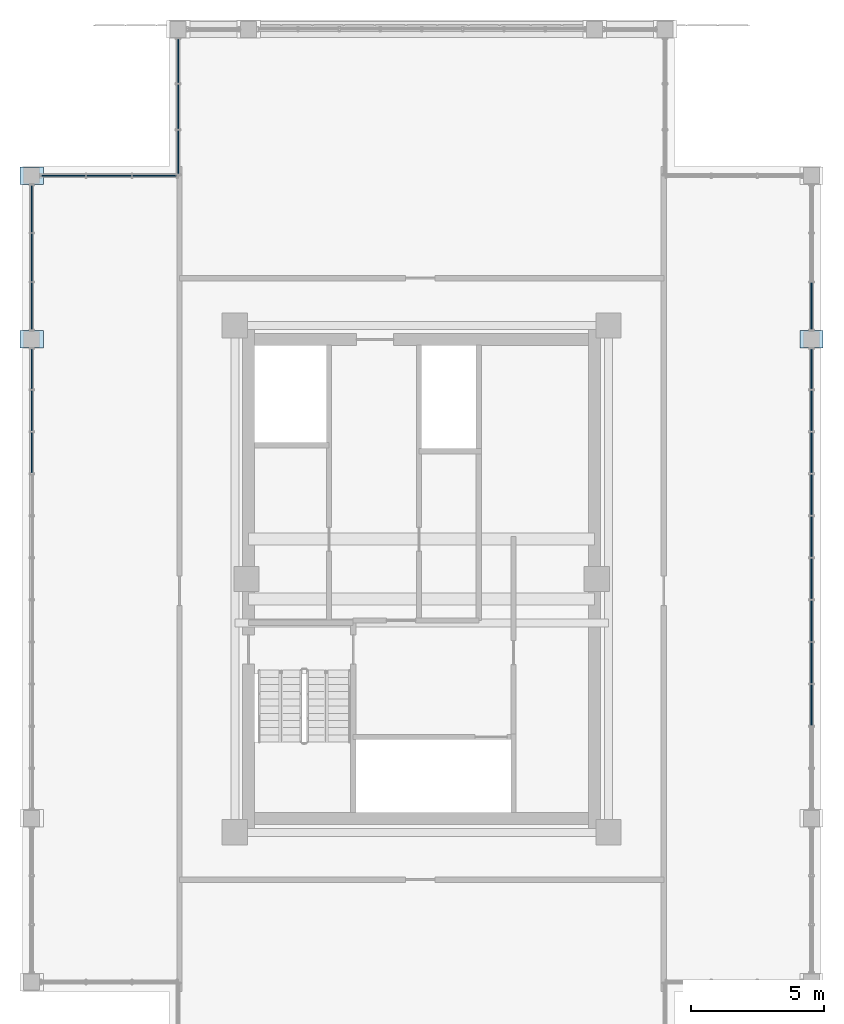
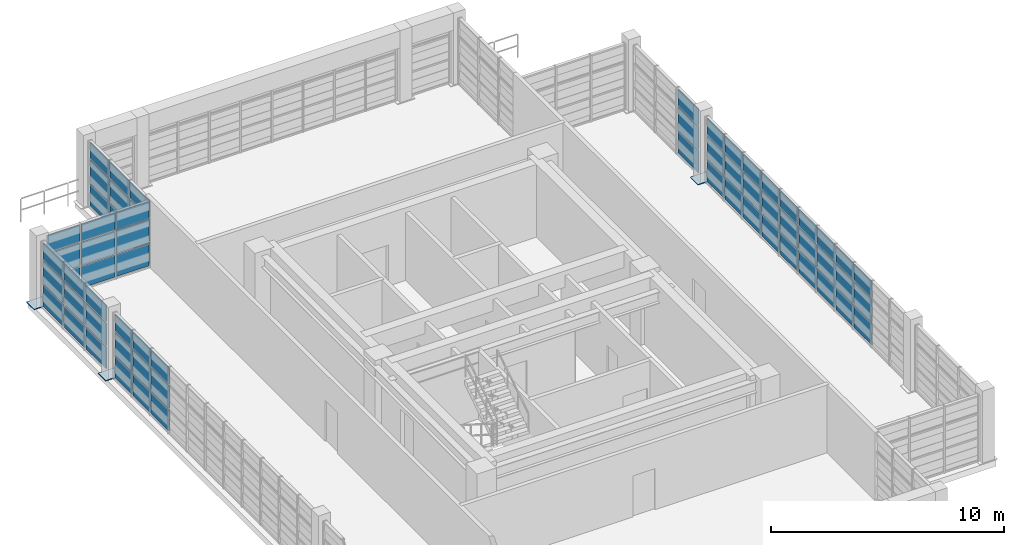
# One storey, part 18 of 24: 69 plates, 6 elements without a shape of their own.
"""IFC4 building model written with IfcOpenShell, lengths in metres."""

import ifcopenshell
import ifcopenshell.guid

model = None  # the IFC model being written
_history = None  # IfcOwnerHistory: only IFC2X3 demands one
_inside = {}  # id of a spatial element -> (the spatial element, [elements in it])
_under = {}  # id of a project, library or spatial element -> (it, [spatial elements below it])
_declared = {}  # id of a project -> (the project, [libraries it declares])
_typed = {}  # id of a type object -> (the type object, [elements of that type])
_made_of = {}  # id of a material, layer set ... -> (it, [elements and type objects made of it])


def new_model(schema):
    """Start an empty IFC model of exactly this schema.

    Asked for "IFC4X3", IfcOpenShell would pick the latest addendum, in which some entities
    have other attributes; the version numbers below select the first issue.
    IFC2X3 requires an IfcOwnerHistory on every rooted entity: one is made here for all.
    """
    global model, _history
    if schema == "IFC4X3":
        model = ifcopenshell.file(schema_version=(4, 3, 0, 0))
    else:
        model = ifcopenshell.file(schema=schema)
    _inside.clear()
    _under.clear()
    _declared.clear()
    _typed.clear()
    _made_of.clear()
    _history = None
    if model.schema == "IFC2X3":
        org = make("IfcOrganization", Name="unknown")
        user = make(
            "IfcPersonAndOrganization",
            ThePerson=make("IfcPerson", FamilyName="unknown"),
            TheOrganization=org,
        )
        app = make(
            "IfcApplication",
            ApplicationDeveloper=org,
            Version="unknown",
            ApplicationFullName="unknown",
            ApplicationIdentifier="unknown",
        )
        _history = make(
            "IfcOwnerHistory",
            OwningUser=user,
            OwningApplication=app,
            ChangeAction="ADDED",
            CreationDate=0,
        )
    return model


def make(cls, **values):
    """One entity of the class cls with the attributes given. An attribute that is None is left unset."""
    return model.create_entity(
        cls, **{name: value for name, value in values.items() if value is not None}
    )


def rooted(cls, **values):
    """An entity with a GlobalId (a new one), such as an element, a storey or a relation."""
    return make(cls, GlobalId=ifcopenshell.guid.new(), OwnerHistory=_history, **values)


def si_unit(unit_type, name, prefix=None):
    """IfcSIUnit, for example si_unit("LENGTHUNIT", "METRE", prefix="MILLI")."""
    return make("IfcSIUnit", UnitType=unit_type, Prefix=prefix, Name=name)


def assignment(units):
    """IfcUnitAssignment: the units of a project."""
    return None if units is None else make("IfcUnitAssignment", Units=units)


def point(xyz):
    """IfcCartesianPoint."""
    return None if xyz is None else make("IfcCartesianPoint", Coordinates=xyz)


def direction(xyz):
    """IfcDirection."""
    return None if xyz is None else make("IfcDirection", DirectionRatios=xyz)


def frame(location, z_axis=None, x_axis=None):
    """IfcAxis2Placement3D, a coordinate frame: its origin and axes. An axis left out is left unset."""
    return make(
        "IfcAxis2Placement3D",
        Location=point(location),
        Axis=direction(z_axis),
        RefDirection=direction(x_axis),
    )


def frame_2d(location, x_axis=None):
    """IfcAxis2Placement2D, a coordinate frame in the plane: its origin and x axis."""
    return make(
        "IfcAxis2Placement2D", Location=point(location), RefDirection=direction(x_axis)
    )


def origin():
    """The frame at (0, 0, 0) with its axes left unset."""
    return frame((0.0, 0.0, 0.0))


def origin_2d():
    """The frame at (0, 0) in the plane with its x axis left unset."""
    return frame_2d((0.0, 0.0))


def place(relative_to, where):
    """IfcLocalPlacement: puts the frame where relative to a parent placement (None: the world)."""
    return make(
        "IfcLocalPlacement", PlacementRelTo=relative_to, RelativePlacement=where
    )


def context(
    kind, dimensions, precision=None, world=None, true_north=None, identifier=None
):
    """IfcGeometricRepresentationContext, for example the 3D "Model" context."""
    return make(
        "IfcGeometricRepresentationContext",
        ContextIdentifier=identifier,
        ContextType=kind,
        CoordinateSpaceDimension=dimensions,
        Precision=precision,
        WorldCoordinateSystem=world,
        TrueNorth=true_north,
    )


def subcontext(parent, identifier, kind, view, scale=None):
    """IfcGeometricRepresentationSubContext, for example "Body" below "Model"."""
    return make(
        "IfcGeometricRepresentationSubContext",
        ContextIdentifier=identifier,
        ContextType=kind,
        ParentContext=parent,
        TargetScale=scale,
        TargetView=view,
    )


def project(units=None, contexts=None):
    """IfcProject with its units and contexts."""
    return rooted(
        "IfcProject",
        Name="project",
        RepresentationContexts=contexts,
        UnitsInContext=assignment(units),
    )


def spatial(cls, under=None, at=None, **own):
    """A site, building, storey or space (cls), placed at a placement, below another one or the project."""
    s = rooted(cls, ObjectPlacement=at, **own)
    if under is not None:
        _under.setdefault(under.id(), (under, []))[1].append(s)
    return s


def profile(cls, at=None, kind="AREA", **sizes):
    """A parametric profile (cls). Its sizes go by their IFC names, for example OverallWidth=200.0."""
    return make(cls, ProfileType=kind, Position=at, **sizes)


def rectangle(**sizes):
    """IfcRectangleProfileDef."""
    return profile("IfcRectangleProfileDef", **sizes)


def extrude(swept, where, along, depth):
    """IfcExtrudedAreaSolid: the profile swept, set in the frame where, extruded along a direction by depth."""
    return make(
        "IfcExtrudedAreaSolid",
        SweptArea=swept,
        Position=where,
        ExtrudedDirection=direction(along),
        Depth=depth,
    )


def shape(context_of_items, identifier, shape_type, items):
    """IfcShapeRepresentation: the items that make up one representation, for example the "Body"."""
    return make(
        "IfcShapeRepresentation",
        ContextOfItems=context_of_items,
        RepresentationIdentifier=identifier,
        RepresentationType=shape_type,
        Items=items,
    )


def source(mapping_origin, context_of_items, identifier, shape_type, items):
    """IfcRepresentationMap: a shape defined once, which mapped items show again and again."""
    return make(
        "IfcRepresentationMap",
        MappingOrigin=mapping_origin,
        MappedRepresentation=shape(context_of_items, identifier, shape_type, items),
    )


def transform(
    local_origin,
    x_axis=None,
    y_axis=None,
    z_axis=None,
    scale=None,
    scale2=None,
    scale3=None,
    uniform=True,
):
    """IfcCartesianTransformationOperator3D, or its non-uniform kind. x_axis, y_axis, z_axis: its Axis1, 2, 3."""
    if uniform:
        return make(
            "IfcCartesianTransformationOperator3D",
            Axis1=direction(x_axis),
            Axis2=direction(y_axis),
            LocalOrigin=point(local_origin),
            Scale=scale,
            Axis3=direction(z_axis),
        )
    return make(
        "IfcCartesianTransformationOperator3DnonUniform",
        Axis1=direction(x_axis),
        Axis2=direction(y_axis),
        LocalOrigin=point(local_origin),
        Scale=scale,
        Axis3=direction(z_axis),
        Scale2=scale2,
        Scale3=scale3,
    )


def mapped(mapping_source, mapping_target):
    """IfcMappedItem: shows the shape of a source again, moved by a transform."""
    return make(
        "IfcMappedItem", MappingSource=mapping_source, MappingTarget=mapping_target
    )


def material(Name=None, Category=None):
    """IfcMaterial."""
    return make("IfcMaterial", Name=Name, Category=Category)


def layer(
    of_material, thickness, ventilated=None, Name=None, Category=None, Priority=None
):
    """IfcMaterialLayer: one layer of a wall or slab, of a material (None: an air gap)."""
    return make(
        "IfcMaterialLayer",
        Material=of_material,
        LayerThickness=thickness,
        IsVentilated=ventilated,
        Name=Name,
        Category=Category,
        Priority=Priority,
    )


def layer_set(layers, Name=None):
    """IfcMaterialLayerSet."""
    return make("IfcMaterialLayerSet", MaterialLayers=layers, LayerSetName=Name)


def made_of(thing, what):
    """Note that an element or type object is made of a material, layer set ...; save() writes the relation."""
    if what is not None:
        _made_of.setdefault(what.id(), (what, []))[1].append(thing)
    return thing


def type_object(cls, material=None, **own):
    """A type object (cls), such as IfcWallType, which elements share."""
    return made_of(rooted(cls, **own), material)


def element(
    cls,
    number,
    at=None,
    inside=None,
    cuts=None,
    type_object=None,
    material=None,
    context=None,
    identifier="Body",
    shape_type=None,
    held_by="IfcProductDefinitionShape",
    body=None,
    shapes=None,
    **own,
):
    """One element of the class cls, such as IfcWall. Its Tag is "e" and its number.

    at: its placement. inside: the storey or other place that contains it. cuts: it is an
    opening in that element (IfcRelVoidsElement). A single representation is given by context,
    identifier, shape_type and body (its items); several are given by shapes. held_by: the class
    of the entity that holds the representations. save() writes the other relations.
    """
    e = rooted(cls, Tag="e%d" % number, ObjectPlacement=at, **own)
    if body is not None:
        shapes = [shape(context, identifier, shape_type, body)]
    if shapes is not None:
        e.Representation = make(held_by, Representations=shapes)
    if inside is not None:
        _inside.setdefault(inside.id(), (inside, []))[1].append(e)
    if cuts is not None:
        rooted(
            "IfcRelVoidsElement", RelatingBuildingElement=cuts, RelatedOpeningElement=e
        )
    if type_object is not None:
        _typed.setdefault(type_object.id(), (type_object, []))[1].append(e)
    return made_of(e, material)


def aggregate(whole, parts):
    """IfcRelAggregates: a whole, such as a stair, and the parts it consists of."""
    return rooted("IfcRelAggregates", RelatingObject=whole, RelatedObjects=parts)


def save(model, path):
    """Write the relations noted so far, then the file.

    IfcRelAggregates (storeys below a building ...), IfcRelContainedInSpatialStructure (elements
    in a storey), IfcRelDefinesByType, IfcRelAssociatesMaterial and IfcRelDeclares: one each for
    every whole, place, type object, material and project.
    """
    for whole, parts in _under.values():
        aggregate(whole, parts)
    for where, things in _inside.values():
        rooted(
            "IfcRelContainedInSpatialStructure",
            RelatedElements=things,
            RelatingStructure=where,
        )
    for kind, things in _typed.values():
        rooted("IfcRelDefinesByType", RelatedObjects=things, RelatingType=kind)
    for what, things in _made_of.values():
        rooted("IfcRelAssociatesMaterial", RelatedObjects=things, RelatingMaterial=what)
    for by, libraries in _declared.values():
        rooted("IfcRelDeclares", RelatingContext=by, RelatedDefinitions=libraries)
    model.write(path)


model = new_model("IFC4")

# Units and contexts
model_context = context("Model", 3, precision=1e-05, world=origin(), true_north=direction((0.0, 1.0)))
body_context = subcontext(model_context, "Body", "Model", "MODEL_VIEW")
ifc_project = project(units=[si_unit("LENGTHUNIT", "METRE"), si_unit("AREAUNIT", "SQUARE_METRE"), si_unit("VOLUMEUNIT", "CUBIC_METRE"), si_unit("PLANEANGLEUNIT", "RADIAN"), si_unit("MASSUNIT", "GRAM", prefix="KILO")], contexts=[model_context])

# Site, building, storey
site_placement = place(None, origin())
site = spatial("IfcSite", under=ifc_project, at=site_placement, CompositionType="ELEMENT")
building_placement = place(site_placement, origin())
building = spatial("IfcBuilding", under=site, at=building_placement, Name="Saelheon Loggia Tower", CompositionType="ELEMENT")
storey_placement = place(building_placement, frame((0.0, 0.0, 252.199951171875)))
storey = spatial("IfcBuildingStorey", under=building, at=storey_placement, Name="CR1", CompositionType="ELEMENT", Elevation=252.199951171875)

# Plates
ifc_material_1 = material(Name="Steel SM355", Category="steel")
ifc_layer_1 = layer(ifc_material_1, 0.035888671875)
ifc_layer_set_1 = layer_set([ifc_layer_1], Name="Steel SM355")
plate_type_1 = type_object("IfcPlateType", Name="CrownFrame_BasePlate_BP1", PredefinedType="USERDEFINED", material=ifc_layer_set_1)
shared_shape_1 = source(origin(), body_context, "Body", "SweptSolid", [
    extrude(rectangle(XDim=0.8798828125, YDim=0.659912109375, at=origin_2d()), origin(), (0.0, 0.0, 1.0), 0.035888671875),
])
for number, where, z_axis, x_axis, name in (
    (1, (52.64990234375, 36.0, 0.0), (0.0, 0.0, 1.0), (1.0, 0.0, 0.0), "CROWN FRAME Column Base Plate TP-EB"),
    (2, (23.35009765625, 42.14990234375, 0.0), (0.0, 0.0, 1.0), (1.0, 0.0, 0.0), "CROWN FRAME Column Base Plate TP-W2"),
    (3, (23.35009765625, 36.0, 0.0), (0.0, 0.0, 1.0), (1.0, 0.0, 0.0), "CROWN FRAME Column Base Plate TP-WB"),
):
    element("IfcPlate", number, at=place(storey_placement, frame(where, z_axis=z_axis, x_axis=x_axis)), inside=storey, type_object=plate_type_1, Name=name, ObjectType="BASE_PLATE", PredefinedType="USERDEFINED", context=body_context, shape_type="MappedRepresentation", body=[
        mapped(shared_shape_1, transform((0.0, 0.0, 0.0), scale=1.0)),
    ])

# Curtain wall, plates
ifc_material_2 = material(Name="Bronze-Anodised Aluminium and Fritted Ceramic Screen", Category="aluminium")
ifc_layer_2 = layer(ifc_material_2, 0.219970703125)
ifc_layer_set_2 = layer_set([ifc_layer_2], Name="Bronze-Anodised Aluminium and Fritted Ceramic Screen")
curtain_wall_type = type_object("IfcCurtainWallType", Name="CW_CrownScreen", PredefinedType="NOTDEFINED", material=ifc_layer_set_2)
curtain_wall_1_placement = place(storey_placement, origin())
curtain_wall_1 = element("IfcCurtainWall", 4, at=curtain_wall_1_placement, inside=storey, type_object=curtain_wall_type, Name="CR1 Crown Screen Curtain Wall 7-1", PredefinedType="NOTDEFINED")
ifc_material_3 = material(Name="Bronze Ceramic Fritted Spandrel Panel", Category="aluminium")
ifc_layer_3 = layer(ifc_material_3, 0.0380859375)
ifc_layer_set_3 = layer_set([ifc_layer_3], Name="Bronze Ceramic Fritted Spandrel Panel")
plate_type_2 = type_object("IfcPlateType", Name="CW_CrownScreen_Panel", PredefinedType="CURTAIN_PANEL", material=ifc_layer_set_3)
shared_shape_2 = source(origin(), body_context, "Body", "SweptSolid", [
    extrude(rectangle(XDim=1.625, YDim=0.0380859375, at=origin_2d()), origin(), (0.0, 0.0, 1.0), 1.14501953125),
])
plate_1_placement = place(storey_placement, frame((28.85009765625, 46.45751953125, 0.070068359375), z_axis=(0.0, 0.0, 1.0), x_axis=(0.0, -1.0, 0.0)))
plate_1 = element("IfcPlate", 5, at=plate_1_placement, type_object=plate_type_2, Name="CW6 panel 1.1", PredefinedType="CURTAIN_PANEL", context=body_context, shape_type="MappedRepresentation", body=[
    mapped(shared_shape_2, transform((0.0, 0.0, 0.0), scale=1.0)),
])
plate_2_placement = place(storey_placement, frame((28.85009765625, 43.032470703125, 0.070068359375), z_axis=(0.0, 0.0, 1.0), x_axis=(0.0, -1.0, 0.0)))
plate_2 = element("IfcPlate", 6, at=plate_2_placement, type_object=plate_type_2, Name="CW6 panel 3.1", PredefinedType="CURTAIN_PANEL", context=body_context, shape_type="MappedRepresentation", body=[
    mapped(shared_shape_2, transform((0.0, 0.0, 0.0), scale=1.0)),
])

curtain_wall_2_placement = place(storey_placement, origin())
curtain_wall_2 = element("IfcCurtainWall", 7, at=curtain_wall_2_placement, inside=storey, type_object=curtain_wall_type, Name="CR1 Crown Screen Curtain Wall 8-1", PredefinedType="NOTDEFINED")
plate_3_placement = place(storey_placement, frame((27.967529296875, 42.14990234375, 0.070068359375), z_axis=(0.0, 0.0, 1.0), x_axis=(-1.0, 0.0, 0.0)))
plate_3 = element("IfcPlate", 8, at=plate_3_placement, type_object=plate_type_2, Name="CW6 panel 1.1", PredefinedType="CURTAIN_PANEL", context=body_context, shape_type="MappedRepresentation", body=[
    mapped(shared_shape_2, transform((0.0, 0.0, 0.0), scale=1.0)),
])
plate_4_placement = place(storey_placement, frame((24.54248046875, 42.14990234375, 0.070068359375), z_axis=(0.0, 0.0, 1.0), x_axis=(-1.0, 0.0, 0.0)))
plate_4 = element("IfcPlate", 9, at=plate_4_placement, type_object=plate_type_2, Name="CW6 panel 3.1", PredefinedType="CURTAIN_PANEL", context=body_context, shape_type="MappedRepresentation", body=[
    mapped(shared_shape_2, transform((0.0, 0.0, 0.0), scale=1.0)),
])

# Plate
shared_shape_3 = source(origin(), body_context, "Body", "SweptSolid", [
    extrude(rectangle(XDim=1.625, YDim=0.0380859375, at=origin_2d()), origin(), (0.0, 0.0, 1.0), 1.179931640625),
])
plate_5_placement = place(storey_placement, frame((28.85009765625, 46.45751953125, 1.28515625), z_axis=(0.0, 0.0, 1.0), x_axis=(0.0, -1.0, 0.0)))
plate_5 = element("IfcPlate", 10, at=plate_5_placement, type_object=plate_type_2, Name="CW6 panel 1.2", PredefinedType="CURTAIN_PANEL", context=body_context, shape_type="MappedRepresentation", body=[
    mapped(shared_shape_3, transform((0.0, 0.0, 0.0), scale=1.0)),
])

plate_6_placement = place(storey_placement, frame((28.85009765625, 43.032470703125, 1.28515625), z_axis=(0.0, 0.0, 1.0), x_axis=(0.0, -1.0, 0.0)))
plate_6 = element("IfcPlate", 11, at=plate_6_placement, type_object=plate_type_2, Name="CW6 panel 3.2", PredefinedType="CURTAIN_PANEL", context=body_context, shape_type="MappedRepresentation", body=[
    mapped(shared_shape_3, transform((0.0, 0.0, 0.0), scale=1.0)),
])

plate_7_placement = place(storey_placement, frame((27.967529296875, 42.14990234375, 1.28515625), z_axis=(0.0, 0.0, 1.0), x_axis=(-1.0, 0.0, 0.0)))
plate_7 = element("IfcPlate", 12, at=plate_7_placement, type_object=plate_type_2, Name="CW6 panel 1.2", PredefinedType="CURTAIN_PANEL", context=body_context, shape_type="MappedRepresentation", body=[
    mapped(shared_shape_3, transform((0.0, 0.0, 0.0), scale=1.0)),
])

plate_8_placement = place(storey_placement, frame((24.54248046875, 42.14990234375, 1.28515625), z_axis=(0.0, 0.0, 1.0), x_axis=(-1.0, 0.0, 0.0)))
plate_8 = element("IfcPlate", 13, at=plate_8_placement, type_object=plate_type_2, Name="CW6 panel 3.2", PredefinedType="CURTAIN_PANEL", context=body_context, shape_type="MappedRepresentation", body=[
    mapped(shared_shape_3, transform((0.0, 0.0, 0.0), scale=1.0)),
])

shared_shape_4 = source(origin(), body_context, "Body", "SweptSolid", [
    extrude(rectangle(XDim=1.625, YDim=0.0380859375, at=origin_2d()), origin(), (0.0, 0.0, 1.0), 0.875),
])
plate_9_placement = place(storey_placement, frame((28.85009765625, 46.45751953125, 2.53515625), z_axis=(0.0, 0.0, 1.0), x_axis=(0.0, -1.0, 0.0)))
plate_9 = element("IfcPlate", 14, at=plate_9_placement, type_object=plate_type_2, Name="CW6 panel 1.3", PredefinedType="CURTAIN_PANEL", context=body_context, shape_type="MappedRepresentation", body=[
    mapped(shared_shape_4, transform((0.0, 0.0, 0.0), scale=1.0)),
])

plate_10_placement = place(storey_placement, frame((28.85009765625, 43.032470703125, 2.53515625), z_axis=(0.0, 0.0, 1.0), x_axis=(0.0, -1.0, 0.0)))
plate_10 = element("IfcPlate", 15, at=plate_10_placement, type_object=plate_type_2, Name="CW6 panel 3.3", PredefinedType="CURTAIN_PANEL", context=body_context, shape_type="MappedRepresentation", body=[
    mapped(shared_shape_4, transform((0.0, 0.0, 0.0), scale=1.0)),
])

plate_11_placement = place(storey_placement, frame((27.967529296875, 42.14990234375, 2.53515625), z_axis=(0.0, 0.0, 1.0), x_axis=(-1.0, 0.0, 0.0)))
plate_11 = element("IfcPlate", 16, at=plate_11_placement, type_object=plate_type_2, Name="CW6 panel 1.3", PredefinedType="CURTAIN_PANEL", context=body_context, shape_type="MappedRepresentation", body=[
    mapped(shared_shape_4, transform((0.0, 0.0, 0.0), scale=1.0)),
])

plate_12_placement = place(storey_placement, frame((24.54248046875, 42.14990234375, 2.53515625), z_axis=(0.0, 0.0, 1.0), x_axis=(-1.0, 0.0, 0.0)))
plate_12 = element("IfcPlate", 17, at=plate_12_placement, type_object=plate_type_2, Name="CW6 panel 3.3", PredefinedType="CURTAIN_PANEL", context=body_context, shape_type="MappedRepresentation", body=[
    mapped(shared_shape_4, transform((0.0, 0.0, 0.0), scale=1.0)),
])

shared_shape_5 = source(origin(), body_context, "Body", "SweptSolid", [
    extrude(rectangle(XDim=1.659912109375, YDim=0.0380859375, at=origin_2d()), origin(), (0.0, 0.0, 1.0), 1.14501953125),
])
plate_13_placement = place(storey_placement, frame((28.85009765625, 44.7451171875, 0.070068359375), z_axis=(0.0, 0.0, 1.0), x_axis=(0.0, -1.0, 0.0)))
plate_13 = element("IfcPlate", 18, at=plate_13_placement, type_object=plate_type_2, Name="CW6 panel 2.1", PredefinedType="CURTAIN_PANEL", context=body_context, shape_type="MappedRepresentation", body=[
    mapped(shared_shape_5, transform((0.0, 0.0, 0.0), scale=1.0)),
])

plate_14_placement = place(storey_placement, frame((26.2548828125, 42.14990234375, 0.070068359375), z_axis=(0.0, 0.0, 1.0), x_axis=(-1.0, 0.0, 0.0)))
plate_14 = element("IfcPlate", 19, at=plate_14_placement, type_object=plate_type_2, Name="CW6 panel 2.1", PredefinedType="CURTAIN_PANEL", context=body_context, shape_type="MappedRepresentation", body=[
    mapped(shared_shape_5, transform((0.0, 0.0, 0.0), scale=1.0)),
])

shared_shape_6 = source(origin(), body_context, "Body", "SweptSolid", [
    extrude(rectangle(XDim=1.659912109375, YDim=0.0380859375, at=origin_2d()), origin(), (0.0, 0.0, 1.0), 1.179931640625),
])
plate_15_placement = place(storey_placement, frame((28.85009765625, 44.7451171875, 1.28515625), z_axis=(0.0, 0.0, 1.0), x_axis=(0.0, -1.0, 0.0)))
plate_15 = element("IfcPlate", 20, at=plate_15_placement, type_object=plate_type_2, Name="CW6 panel 2.2", PredefinedType="CURTAIN_PANEL", context=body_context, shape_type="MappedRepresentation", body=[
    mapped(shared_shape_6, transform((0.0, 0.0, 0.0), scale=1.0)),
])

plate_16_placement = place(storey_placement, frame((26.2548828125, 42.14990234375, 1.28515625), z_axis=(0.0, 0.0, 1.0), x_axis=(-1.0, 0.0, 0.0)))
plate_16 = element("IfcPlate", 21, at=plate_16_placement, type_object=plate_type_2, Name="CW6 panel 2.2", PredefinedType="CURTAIN_PANEL", context=body_context, shape_type="MappedRepresentation", body=[
    mapped(shared_shape_6, transform((0.0, 0.0, 0.0), scale=1.0)),
])

shared_shape_7 = source(origin(), body_context, "Body", "SweptSolid", [
    extrude(rectangle(XDim=1.659912109375, YDim=0.0380859375, at=origin_2d()), origin(), (0.0, 0.0, 1.0), 0.875),
])
plate_17_placement = place(storey_placement, frame((28.85009765625, 44.7451171875, 2.53515625), z_axis=(0.0, 0.0, 1.0), x_axis=(0.0, -1.0, 0.0)))
plate_17 = element("IfcPlate", 22, at=plate_17_placement, type_object=plate_type_2, Name="CW6 panel 2.3", PredefinedType="CURTAIN_PANEL", context=body_context, shape_type="MappedRepresentation", body=[
    mapped(shared_shape_7, transform((0.0, 0.0, 0.0), scale=1.0)),
])

aggregate(curtain_wall_1, [plate_1, plate_5, plate_9, plate_13, plate_15, plate_17, plate_2, plate_6, plate_10])

plate_18_placement = place(storey_placement, frame((26.2548828125, 42.14990234375, 2.53515625), z_axis=(0.0, 0.0, 1.0), x_axis=(-1.0, 0.0, 0.0)))
plate_18 = element("IfcPlate", 23, at=plate_18_placement, type_object=plate_type_2, Name="CW6 panel 2.3", PredefinedType="CURTAIN_PANEL", context=body_context, shape_type="MappedRepresentation", body=[
    mapped(shared_shape_7, transform((0.0, 0.0, 0.0), scale=1.0)),
])

aggregate(curtain_wall_2, [plate_3, plate_7, plate_11, plate_14, plate_16, plate_18, plate_4, plate_8, plate_12])

# Curtain wall, plate
curtain_wall_3_placement = place(storey_placement, origin())
curtain_wall_3 = element("IfcCurtainWall", 24, at=curtain_wall_3_placement, inside=storey, type_object=curtain_wall_type, Name="CR1 Crown Screen Curtain Wall 3-3", PredefinedType="NOTDEFINED")
shared_shape_8 = source(origin(), body_context, "Body", "SweptSolid", [
    extrude(rectangle(XDim=1.73828125, YDim=0.0380859375, at=origin_2d()), origin(), (0.0, 0.0, 1.0), 1.14501953125),
])
plate_19_placement = place(storey_placement, frame((52.64990234375, 37.249267578125, 0.070068359375), z_axis=(0.0, 0.0, 1.0), x_axis=(0.0, 1.0, 0.0)))
plate_19 = element("IfcPlate", 25, at=plate_19_placement, type_object=plate_type_2, Name="CW6 panel 1.1", PredefinedType="CURTAIN_PANEL", context=body_context, shape_type="MappedRepresentation", body=[
    mapped(shared_shape_8, transform((0.0, 0.0, 0.0), scale=1.0)),
])

# Curtain wall, plates
curtain_wall_4_placement = place(storey_placement, origin())
curtain_wall_4 = element("IfcCurtainWall", 26, at=curtain_wall_4_placement, inside=storey, type_object=curtain_wall_type, Name="CR1 Crown Screen Curtain Wall 9-1", PredefinedType="NOTDEFINED")
plate_20_placement = place(storey_placement, frame((23.35009765625, 40.90087890625, 0.070068359375), z_axis=(0.0, 0.0, 1.0), x_axis=(0.0, -1.0, 0.0)))
plate_20 = element("IfcPlate", 27, at=plate_20_placement, type_object=plate_type_2, Name="CW6 panel 1.1", PredefinedType="CURTAIN_PANEL", context=body_context, shape_type="MappedRepresentation", body=[
    mapped(shared_shape_8, transform((0.0, 0.0, 0.0), scale=1.0)),
])
plate_21_placement = place(storey_placement, frame((23.35009765625, 37.249267578125, 0.070068359375), z_axis=(0.0, 0.0, 1.0), x_axis=(0.0, -1.0, 0.0)))
plate_21 = element("IfcPlate", 28, at=plate_21_placement, type_object=plate_type_2, Name="CW6 panel 3.1", PredefinedType="CURTAIN_PANEL", context=body_context, shape_type="MappedRepresentation", body=[
    mapped(shared_shape_8, transform((0.0, 0.0, 0.0), scale=1.0)),
])

# Plate
shared_shape_9 = source(origin(), body_context, "Body", "SweptSolid", [
    extrude(rectangle(XDim=1.73828125, YDim=0.0380859375, at=origin_2d()), origin(), (0.0, 0.0, 1.0), 1.179931640625),
])
plate_22_placement = place(storey_placement, frame((52.64990234375, 37.249267578125, 1.28515625), z_axis=(0.0, 0.0, 1.0), x_axis=(0.0, 1.0, 0.0)))
plate_22 = element("IfcPlate", 29, at=plate_22_placement, type_object=plate_type_2, Name="CW6 panel 1.2", PredefinedType="CURTAIN_PANEL", context=body_context, shape_type="MappedRepresentation", body=[
    mapped(shared_shape_9, transform((0.0, 0.0, 0.0), scale=1.0)),
])

plate_23_placement = place(storey_placement, frame((23.35009765625, 40.90087890625, 1.28515625), z_axis=(0.0, 0.0, 1.0), x_axis=(0.0, -1.0, 0.0)))
plate_23 = element("IfcPlate", 30, at=plate_23_placement, type_object=plate_type_2, Name="CW6 panel 1.2", PredefinedType="CURTAIN_PANEL", context=body_context, shape_type="MappedRepresentation", body=[
    mapped(shared_shape_9, transform((0.0, 0.0, 0.0), scale=1.0)),
])

plate_24_placement = place(storey_placement, frame((23.35009765625, 37.249267578125, 1.28515625), z_axis=(0.0, 0.0, 1.0), x_axis=(0.0, -1.0, 0.0)))
plate_24 = element("IfcPlate", 31, at=plate_24_placement, type_object=plate_type_2, Name="CW6 panel 3.2", PredefinedType="CURTAIN_PANEL", context=body_context, shape_type="MappedRepresentation", body=[
    mapped(shared_shape_9, transform((0.0, 0.0, 0.0), scale=1.0)),
])

shared_shape_10 = source(origin(), body_context, "Body", "SweptSolid", [
    extrude(rectangle(XDim=1.73828125, YDim=0.0380859375, at=origin_2d()), origin(), (0.0, 0.0, 1.0), 0.875),
])
plate_25_placement = place(storey_placement, frame((52.64990234375, 37.249267578125, 2.53515625), z_axis=(0.0, 0.0, 1.0), x_axis=(0.0, 1.0, 0.0)))
plate_25 = element("IfcPlate", 32, at=plate_25_placement, type_object=plate_type_2, Name="CW6 panel 1.3", PredefinedType="CURTAIN_PANEL", context=body_context, shape_type="MappedRepresentation", body=[
    mapped(shared_shape_10, transform((0.0, 0.0, 0.0), scale=1.0)),
])

aggregate(curtain_wall_3, [plate_19, plate_22, plate_25])

plate_26_placement = place(storey_placement, frame((23.35009765625, 40.90087890625, 2.53515625), z_axis=(0.0, 0.0, 1.0), x_axis=(0.0, -1.0, 0.0)))
plate_26 = element("IfcPlate", 33, at=plate_26_placement, type_object=plate_type_2, Name="CW6 panel 1.3", PredefinedType="CURTAIN_PANEL", context=body_context, shape_type="MappedRepresentation", body=[
    mapped(shared_shape_10, transform((0.0, 0.0, 0.0), scale=1.0)),
])

plate_27_placement = place(storey_placement, frame((23.35009765625, 37.249267578125, 2.53515625), z_axis=(0.0, 0.0, 1.0), x_axis=(0.0, -1.0, 0.0)))
plate_27 = element("IfcPlate", 34, at=plate_27_placement, type_object=plate_type_2, Name="CW6 panel 3.3", PredefinedType="CURTAIN_PANEL", context=body_context, shape_type="MappedRepresentation", body=[
    mapped(shared_shape_10, transform((0.0, 0.0, 0.0), scale=1.0)),
])

shared_shape_11 = source(origin(), body_context, "Body", "SweptSolid", [
    extrude(rectangle(XDim=1.7734375, YDim=0.0380859375, at=origin_2d()), origin(), (0.0, 0.0, 1.0), 1.14501953125),
])
plate_28_placement = place(storey_placement, frame((23.35009765625, 39.074951171875, 0.070068359375), z_axis=(0.0, 0.0, 1.0), x_axis=(0.0, -1.0, 0.0)))
plate_28 = element("IfcPlate", 35, at=plate_28_placement, type_object=plate_type_2, Name="CW6 panel 2.1", PredefinedType="CURTAIN_PANEL", context=body_context, shape_type="MappedRepresentation", body=[
    mapped(shared_shape_11, transform((0.0, 0.0, 0.0), scale=1.0)),
])

shared_shape_12 = source(origin(), body_context, "Body", "SweptSolid", [
    extrude(rectangle(XDim=1.7734375, YDim=0.0380859375, at=origin_2d()), origin(), (0.0, 0.0, 1.0), 1.179931640625),
])
plate_29_placement = place(storey_placement, frame((23.35009765625, 39.074951171875, 1.28515625), z_axis=(0.0, 0.0, 1.0), x_axis=(0.0, -1.0, 0.0)))
plate_29 = element("IfcPlate", 36, at=plate_29_placement, type_object=plate_type_2, Name="CW6 panel 2.2", PredefinedType="CURTAIN_PANEL", context=body_context, shape_type="MappedRepresentation", body=[
    mapped(shared_shape_12, transform((0.0, 0.0, 0.0), scale=1.0)),
])

shared_shape_13 = source(origin(), body_context, "Body", "SweptSolid", [
    extrude(rectangle(XDim=1.7734375, YDim=0.0380859375, at=origin_2d()), origin(), (0.0, 0.0, 1.0), 0.875),
])
plate_30_placement = place(storey_placement, frame((23.35009765625, 39.074951171875, 2.53515625), z_axis=(0.0, 0.0, 1.0), x_axis=(0.0, -1.0, 0.0)))
plate_30 = element("IfcPlate", 37, at=plate_30_placement, type_object=plate_type_2, Name="CW6 panel 2.3", PredefinedType="CURTAIN_PANEL", context=body_context, shape_type="MappedRepresentation", body=[
    mapped(shared_shape_13, transform((0.0, 0.0, 0.0), scale=1.0)),
])

aggregate(curtain_wall_4, [plate_20, plate_23, plate_26, plate_28, plate_29, plate_30, plate_21, plate_24, plate_27])

# Curtain wall, plate
curtain_wall_5_placement = place(storey_placement, origin())
curtain_wall_5 = element("IfcCurtainWall", 38, at=curtain_wall_5_placement, inside=storey, type_object=curtain_wall_type, Name="CR1 Crown Screen Curtain Wall 3-2", PredefinedType="NOTDEFINED")
shared_shape_14 = source(origin(), body_context, "Body", "SweptSolid", [
    extrude(rectangle(XDim=1.47509765625, YDim=0.0380859375, at=origin_2d()), origin(), (0.0, 0.0, 1.0), 1.14501953125),
])
plate_31_placement = place(storey_placement, frame((52.64990234375, 34.882568359375, 0.070068359375), z_axis=(0.0, 0.0, 1.0), x_axis=(0.0, 1.0, 0.0)))
plate_31 = element("IfcPlate", 39, at=plate_31_placement, type_object=plate_type_2, Name="CW6 panel 11.1", PredefinedType="CURTAIN_PANEL", context=body_context, shape_type="MappedRepresentation", body=[
    mapped(shared_shape_14, transform((0.0, 0.0, 0.0), scale=1.0)),
])

curtain_wall_6_placement = place(storey_placement, origin())
curtain_wall_6 = element("IfcCurtainWall", 40, at=curtain_wall_6_placement, inside=storey, type_object=curtain_wall_type, Name="CR1 Crown Screen Curtain Wall 9-2", PredefinedType="NOTDEFINED")
plate_32_placement = place(storey_placement, frame((23.35009765625, 34.882568359375, 0.070068359375), z_axis=(0.0, 0.0, 1.0), x_axis=(0.0, -1.0, 0.0)))
plate_32 = element("IfcPlate", 41, at=plate_32_placement, type_object=plate_type_2, Name="CW6 panel 1.1", PredefinedType="CURTAIN_PANEL", context=body_context, shape_type="MappedRepresentation", body=[
    mapped(shared_shape_14, transform((0.0, 0.0, 0.0), scale=1.0)),
])

# Plate
shared_shape_15 = source(origin(), body_context, "Body", "SweptSolid", [
    extrude(rectangle(XDim=1.47509765625, YDim=0.0380859375, at=origin_2d()), origin(), (0.0, 0.0, 1.0), 1.179931640625),
])
plate_33_placement = place(storey_placement, frame((52.64990234375, 34.882568359375, 1.28515625), z_axis=(0.0, 0.0, 1.0), x_axis=(0.0, 1.0, 0.0)))
plate_33 = element("IfcPlate", 42, at=plate_33_placement, type_object=plate_type_2, Name="CW6 panel 11.2", PredefinedType="CURTAIN_PANEL", context=body_context, shape_type="MappedRepresentation", body=[
    mapped(shared_shape_15, transform((0.0, 0.0, 0.0), scale=1.0)),
])

plate_34_placement = place(storey_placement, frame((23.35009765625, 34.882568359375, 1.28515625), z_axis=(0.0, 0.0, 1.0), x_axis=(0.0, -1.0, 0.0)))
plate_34 = element("IfcPlate", 43, at=plate_34_placement, type_object=plate_type_2, Name="CW6 panel 1.2", PredefinedType="CURTAIN_PANEL", context=body_context, shape_type="MappedRepresentation", body=[
    mapped(shared_shape_15, transform((0.0, 0.0, 0.0), scale=1.0)),
])

shared_shape_16 = source(origin(), body_context, "Body", "SweptSolid", [
    extrude(rectangle(XDim=1.47509765625, YDim=0.0380859375, at=origin_2d()), origin(), (0.0, 0.0, 1.0), 0.875),
])
plate_35_placement = place(storey_placement, frame((52.64990234375, 34.882568359375, 2.53515625), z_axis=(0.0, 0.0, 1.0), x_axis=(0.0, 1.0, 0.0)))
plate_35 = element("IfcPlate", 44, at=plate_35_placement, type_object=plate_type_2, Name="CW6 panel 11.3", PredefinedType="CURTAIN_PANEL", context=body_context, shape_type="MappedRepresentation", body=[
    mapped(shared_shape_16, transform((0.0, 0.0, 0.0), scale=1.0)),
])

plate_36_placement = place(storey_placement, frame((23.35009765625, 34.882568359375, 2.53515625), z_axis=(0.0, 0.0, 1.0), x_axis=(0.0, -1.0, 0.0)))
plate_36 = element("IfcPlate", 45, at=plate_36_placement, type_object=plate_type_2, Name="CW6 panel 1.3", PredefinedType="CURTAIN_PANEL", context=body_context, shape_type="MappedRepresentation", body=[
    mapped(shared_shape_16, transform((0.0, 0.0, 0.0), scale=1.0)),
])

shared_shape_17 = source(origin(), body_context, "Body", "SweptSolid", [
    extrude(rectangle(XDim=1.510009765625, YDim=0.0380859375, at=origin_2d()), origin(), (0.0, 0.0, 1.0), 1.14501953125),
])
plate_37_placement = place(storey_placement, frame((52.64990234375, 22.260009765625, 0.070068359375), z_axis=(0.0, 0.0, 1.0), x_axis=(0.0, 1.0, 0.0)))
plate_37 = element("IfcPlate", 46, at=plate_37_placement, type_object=plate_type_2, Name="CW6 panel 3.1", PredefinedType="CURTAIN_PANEL", context=body_context, shape_type="MappedRepresentation", body=[
    mapped(shared_shape_17, transform((0.0, 0.0, 0.0), scale=1.0)),
])

plate_38_placement = place(storey_placement, frame((52.64990234375, 23.840087890625, 0.070068359375), z_axis=(0.0, 0.0, 1.0), x_axis=(0.0, 1.0, 0.0)))
plate_38 = element("IfcPlate", 47, at=plate_38_placement, type_object=plate_type_2, Name="CW6 panel 4.1", PredefinedType="CURTAIN_PANEL", context=body_context, shape_type="MappedRepresentation", body=[
    mapped(shared_shape_17, transform((0.0, 0.0, 0.0), scale=1.0)),
])

plate_39_placement = place(storey_placement, frame((52.64990234375, 25.419921875, 0.070068359375), z_axis=(0.0, 0.0, 1.0), x_axis=(0.0, 1.0, 0.0)))
plate_39 = element("IfcPlate", 48, at=plate_39_placement, type_object=plate_type_2, Name="CW6 panel 5.1", PredefinedType="CURTAIN_PANEL", context=body_context, shape_type="MappedRepresentation", body=[
    mapped(shared_shape_17, transform((0.0, 0.0, 0.0), scale=1.0)),
])

plate_40_placement = place(storey_placement, frame((52.64990234375, 27.0, 0.070068359375), z_axis=(0.0, 0.0, 1.0), x_axis=(0.0, 1.0, 0.0)))
plate_40 = element("IfcPlate", 49, at=plate_40_placement, type_object=plate_type_2, Name="CW6 panel 6.1", PredefinedType="CURTAIN_PANEL", context=body_context, shape_type="MappedRepresentation", body=[
    mapped(shared_shape_17, transform((0.0, 0.0, 0.0), scale=1.0)),
])

plate_41_placement = place(storey_placement, frame((52.64990234375, 28.580078125, 0.070068359375), z_axis=(0.0, 0.0, 1.0), x_axis=(0.0, 1.0, 0.0)))
plate_41 = element("IfcPlate", 50, at=plate_41_placement, type_object=plate_type_2, Name="CW6 panel 7.1", PredefinedType="CURTAIN_PANEL", context=body_context, shape_type="MappedRepresentation", body=[
    mapped(shared_shape_17, transform((0.0, 0.0, 0.0), scale=1.0)),
])

plate_42_placement = place(storey_placement, frame((52.64990234375, 30.159912109375, 0.070068359375), z_axis=(0.0, 0.0, 1.0), x_axis=(0.0, 1.0, 0.0)))
plate_42 = element("IfcPlate", 51, at=plate_42_placement, type_object=plate_type_2, Name="CW6 panel 8.1", PredefinedType="CURTAIN_PANEL", context=body_context, shape_type="MappedRepresentation", body=[
    mapped(shared_shape_17, transform((0.0, 0.0, 0.0), scale=1.0)),
])

plate_43_placement = place(storey_placement, frame((52.64990234375, 31.739990234375, 0.070068359375), z_axis=(0.0, 0.0, 1.0), x_axis=(0.0, 1.0, 0.0)))
plate_43 = element("IfcPlate", 52, at=plate_43_placement, type_object=plate_type_2, Name="CW6 panel 9.1", PredefinedType="CURTAIN_PANEL", context=body_context, shape_type="MappedRepresentation", body=[
    mapped(shared_shape_17, transform((0.0, 0.0, 0.0), scale=1.0)),
])

plate_44_placement = place(storey_placement, frame((52.64990234375, 33.320068359375, 0.070068359375), z_axis=(0.0, 0.0, 1.0), x_axis=(0.0, 1.0, 0.0)))
plate_44 = element("IfcPlate", 53, at=plate_44_placement, type_object=plate_type_2, Name="CW6 panel 10.1", PredefinedType="CURTAIN_PANEL", context=body_context, shape_type="MappedRepresentation", body=[
    mapped(shared_shape_17, transform((0.0, 0.0, 0.0), scale=1.0)),
])

plate_45_placement = place(storey_placement, frame((23.35009765625, 33.320068359375, 0.070068359375), z_axis=(0.0, 0.0, 1.0), x_axis=(0.0, -1.0, 0.0)))
plate_45 = element("IfcPlate", 54, at=plate_45_placement, type_object=plate_type_2, Name="CW6 panel 2.1", PredefinedType="CURTAIN_PANEL", context=body_context, shape_type="MappedRepresentation", body=[
    mapped(shared_shape_17, transform((0.0, 0.0, 0.0), scale=1.0)),
])

plate_46_placement = place(storey_placement, frame((23.35009765625, 31.739990234375, 0.070068359375), z_axis=(0.0, 0.0, 1.0), x_axis=(0.0, -1.0, 0.0)))
plate_46 = element("IfcPlate", 55, at=plate_46_placement, type_object=plate_type_2, Name="CW6 panel 3.1", PredefinedType="CURTAIN_PANEL", context=body_context, shape_type="MappedRepresentation", body=[
    mapped(shared_shape_17, transform((0.0, 0.0, 0.0), scale=1.0)),
])

shared_shape_18 = source(origin(), body_context, "Body", "SweptSolid", [
    extrude(rectangle(XDim=1.510009765625, YDim=0.0380859375, at=origin_2d()), origin(), (0.0, 0.0, 1.0), 1.179931640625),
])
plate_47_placement = place(storey_placement, frame((52.64990234375, 22.260009765625, 1.28515625), z_axis=(0.0, 0.0, 1.0), x_axis=(0.0, 1.0, 0.0)))
plate_47 = element("IfcPlate", 56, at=plate_47_placement, type_object=plate_type_2, Name="CW6 panel 3.2", PredefinedType="CURTAIN_PANEL", context=body_context, shape_type="MappedRepresentation", body=[
    mapped(shared_shape_18, transform((0.0, 0.0, 0.0), scale=1.0)),
])

plate_48_placement = place(storey_placement, frame((52.64990234375, 23.840087890625, 1.28515625), z_axis=(0.0, 0.0, 1.0), x_axis=(0.0, 1.0, 0.0)))
plate_48 = element("IfcPlate", 57, at=plate_48_placement, type_object=plate_type_2, Name="CW6 panel 4.2", PredefinedType="CURTAIN_PANEL", context=body_context, shape_type="MappedRepresentation", body=[
    mapped(shared_shape_18, transform((0.0, 0.0, 0.0), scale=1.0)),
])

plate_49_placement = place(storey_placement, frame((52.64990234375, 25.419921875, 1.28515625), z_axis=(0.0, 0.0, 1.0), x_axis=(0.0, 1.0, 0.0)))
plate_49 = element("IfcPlate", 58, at=plate_49_placement, type_object=plate_type_2, Name="CW6 panel 5.2", PredefinedType="CURTAIN_PANEL", context=body_context, shape_type="MappedRepresentation", body=[
    mapped(shared_shape_18, transform((0.0, 0.0, 0.0), scale=1.0)),
])

plate_50_placement = place(storey_placement, frame((52.64990234375, 27.0, 1.28515625), z_axis=(0.0, 0.0, 1.0), x_axis=(0.0, 1.0, 0.0)))
plate_50 = element("IfcPlate", 59, at=plate_50_placement, type_object=plate_type_2, Name="CW6 panel 6.2", PredefinedType="CURTAIN_PANEL", context=body_context, shape_type="MappedRepresentation", body=[
    mapped(shared_shape_18, transform((0.0, 0.0, 0.0), scale=1.0)),
])

plate_51_placement = place(storey_placement, frame((52.64990234375, 28.580078125, 1.28515625), z_axis=(0.0, 0.0, 1.0), x_axis=(0.0, 1.0, 0.0)))
plate_51 = element("IfcPlate", 60, at=plate_51_placement, type_object=plate_type_2, Name="CW6 panel 7.2", PredefinedType="CURTAIN_PANEL", context=body_context, shape_type="MappedRepresentation", body=[
    mapped(shared_shape_18, transform((0.0, 0.0, 0.0), scale=1.0)),
])

plate_52_placement = place(storey_placement, frame((52.64990234375, 30.159912109375, 1.28515625), z_axis=(0.0, 0.0, 1.0), x_axis=(0.0, 1.0, 0.0)))
plate_52 = element("IfcPlate", 61, at=plate_52_placement, type_object=plate_type_2, Name="CW6 panel 8.2", PredefinedType="CURTAIN_PANEL", context=body_context, shape_type="MappedRepresentation", body=[
    mapped(shared_shape_18, transform((0.0, 0.0, 0.0), scale=1.0)),
])

plate_53_placement = place(storey_placement, frame((52.64990234375, 31.739990234375, 1.28515625), z_axis=(0.0, 0.0, 1.0), x_axis=(0.0, 1.0, 0.0)))
plate_53 = element("IfcPlate", 62, at=plate_53_placement, type_object=plate_type_2, Name="CW6 panel 9.2", PredefinedType="CURTAIN_PANEL", context=body_context, shape_type="MappedRepresentation", body=[
    mapped(shared_shape_18, transform((0.0, 0.0, 0.0), scale=1.0)),
])

plate_54_placement = place(storey_placement, frame((52.64990234375, 33.320068359375, 1.28515625), z_axis=(0.0, 0.0, 1.0), x_axis=(0.0, 1.0, 0.0)))
plate_54 = element("IfcPlate", 63, at=plate_54_placement, type_object=plate_type_2, Name="CW6 panel 10.2", PredefinedType="CURTAIN_PANEL", context=body_context, shape_type="MappedRepresentation", body=[
    mapped(shared_shape_18, transform((0.0, 0.0, 0.0), scale=1.0)),
])

plate_55_placement = place(storey_placement, frame((23.35009765625, 33.320068359375, 1.28515625), z_axis=(0.0, 0.0, 1.0), x_axis=(0.0, -1.0, 0.0)))
plate_55 = element("IfcPlate", 64, at=plate_55_placement, type_object=plate_type_2, Name="CW6 panel 2.2", PredefinedType="CURTAIN_PANEL", context=body_context, shape_type="MappedRepresentation", body=[
    mapped(shared_shape_18, transform((0.0, 0.0, 0.0), scale=1.0)),
])

plate_56_placement = place(storey_placement, frame((23.35009765625, 31.739990234375, 1.28515625), z_axis=(0.0, 0.0, 1.0), x_axis=(0.0, -1.0, 0.0)))
plate_56 = element("IfcPlate", 65, at=plate_56_placement, type_object=plate_type_2, Name="CW6 panel 3.2", PredefinedType="CURTAIN_PANEL", context=body_context, shape_type="MappedRepresentation", body=[
    mapped(shared_shape_18, transform((0.0, 0.0, 0.0), scale=1.0)),
])

shared_shape_19 = source(origin(), body_context, "Body", "SweptSolid", [
    extrude(rectangle(XDim=1.510009765625, YDim=0.0380859375, at=origin_2d()), origin(), (0.0, 0.0, 1.0), 0.875),
])
plate_57_placement = place(storey_placement, frame((52.64990234375, 22.260009765625, 2.53515625), z_axis=(0.0, 0.0, 1.0), x_axis=(0.0, 1.0, 0.0)))
plate_57 = element("IfcPlate", 66, at=plate_57_placement, type_object=plate_type_2, Name="CW6 panel 3.3", PredefinedType="CURTAIN_PANEL", context=body_context, shape_type="MappedRepresentation", body=[
    mapped(shared_shape_19, transform((0.0, 0.0, 0.0), scale=1.0)),
])

plate_58_placement = place(storey_placement, frame((52.64990234375, 23.840087890625, 2.53515625), z_axis=(0.0, 0.0, 1.0), x_axis=(0.0, 1.0, 0.0)))
plate_58 = element("IfcPlate", 67, at=plate_58_placement, type_object=plate_type_2, Name="CW6 panel 4.3", PredefinedType="CURTAIN_PANEL", context=body_context, shape_type="MappedRepresentation", body=[
    mapped(shared_shape_19, transform((0.0, 0.0, 0.0), scale=1.0)),
])

plate_59_placement = place(storey_placement, frame((52.64990234375, 25.419921875, 2.53515625), z_axis=(0.0, 0.0, 1.0), x_axis=(0.0, 1.0, 0.0)))
plate_59 = element("IfcPlate", 68, at=plate_59_placement, type_object=plate_type_2, Name="CW6 panel 5.3", PredefinedType="CURTAIN_PANEL", context=body_context, shape_type="MappedRepresentation", body=[
    mapped(shared_shape_19, transform((0.0, 0.0, 0.0), scale=1.0)),
])

plate_60_placement = place(storey_placement, frame((52.64990234375, 27.0, 2.53515625), z_axis=(0.0, 0.0, 1.0), x_axis=(0.0, 1.0, 0.0)))
plate_60 = element("IfcPlate", 69, at=plate_60_placement, type_object=plate_type_2, Name="CW6 panel 6.3", PredefinedType="CURTAIN_PANEL", context=body_context, shape_type="MappedRepresentation", body=[
    mapped(shared_shape_19, transform((0.0, 0.0, 0.0), scale=1.0)),
])

plate_61_placement = place(storey_placement, frame((52.64990234375, 28.580078125, 2.53515625), z_axis=(0.0, 0.0, 1.0), x_axis=(0.0, 1.0, 0.0)))
plate_61 = element("IfcPlate", 70, at=plate_61_placement, type_object=plate_type_2, Name="CW6 panel 7.3", PredefinedType="CURTAIN_PANEL", context=body_context, shape_type="MappedRepresentation", body=[
    mapped(shared_shape_19, transform((0.0, 0.0, 0.0), scale=1.0)),
])

plate_62_placement = place(storey_placement, frame((52.64990234375, 30.159912109375, 2.53515625), z_axis=(0.0, 0.0, 1.0), x_axis=(0.0, 1.0, 0.0)))
plate_62 = element("IfcPlate", 71, at=plate_62_placement, type_object=plate_type_2, Name="CW6 panel 8.3", PredefinedType="CURTAIN_PANEL", context=body_context, shape_type="MappedRepresentation", body=[
    mapped(shared_shape_19, transform((0.0, 0.0, 0.0), scale=1.0)),
])

plate_63_placement = place(storey_placement, frame((52.64990234375, 31.739990234375, 2.53515625), z_axis=(0.0, 0.0, 1.0), x_axis=(0.0, 1.0, 0.0)))
plate_63 = element("IfcPlate", 72, at=plate_63_placement, type_object=plate_type_2, Name="CW6 panel 9.3", PredefinedType="CURTAIN_PANEL", context=body_context, shape_type="MappedRepresentation", body=[
    mapped(shared_shape_19, transform((0.0, 0.0, 0.0), scale=1.0)),
])

plate_64_placement = place(storey_placement, frame((52.64990234375, 33.320068359375, 2.53515625), z_axis=(0.0, 0.0, 1.0), x_axis=(0.0, 1.0, 0.0)))
plate_64 = element("IfcPlate", 73, at=plate_64_placement, type_object=plate_type_2, Name="CW6 panel 10.3", PredefinedType="CURTAIN_PANEL", context=body_context, shape_type="MappedRepresentation", body=[
    mapped(shared_shape_19, transform((0.0, 0.0, 0.0), scale=1.0)),
])

aggregate(curtain_wall_5, [plate_37, plate_47, plate_57, plate_38, plate_48, plate_58, plate_39, plate_49, plate_59, plate_40, plate_50, plate_60, plate_41, plate_51, plate_61, plate_42, plate_52, plate_62, plate_43, plate_53, plate_63, plate_44, plate_54, plate_64, plate_31, plate_33, plate_35])

plate_65_placement = place(storey_placement, frame((23.35009765625, 33.320068359375, 2.53515625), z_axis=(0.0, 0.0, 1.0), x_axis=(0.0, -1.0, 0.0)))
plate_65 = element("IfcPlate", 74, at=plate_65_placement, type_object=plate_type_2, Name="CW6 panel 2.3", PredefinedType="CURTAIN_PANEL", context=body_context, shape_type="MappedRepresentation", body=[
    mapped(shared_shape_19, transform((0.0, 0.0, 0.0), scale=1.0)),
])

plate_66_placement = place(storey_placement, frame((23.35009765625, 31.739990234375, 2.53515625), z_axis=(0.0, 0.0, 1.0), x_axis=(0.0, -1.0, 0.0)))
plate_66 = element("IfcPlate", 75, at=plate_66_placement, type_object=plate_type_2, Name="CW6 panel 3.3", PredefinedType="CURTAIN_PANEL", context=body_context, shape_type="MappedRepresentation", body=[
    mapped(shared_shape_19, transform((0.0, 0.0, 0.0), scale=1.0)),
])

aggregate(curtain_wall_6, [plate_32, plate_34, plate_36, plate_45, plate_55, plate_65, plate_46, plate_56, plate_66])

save(model, "model.ifc")
